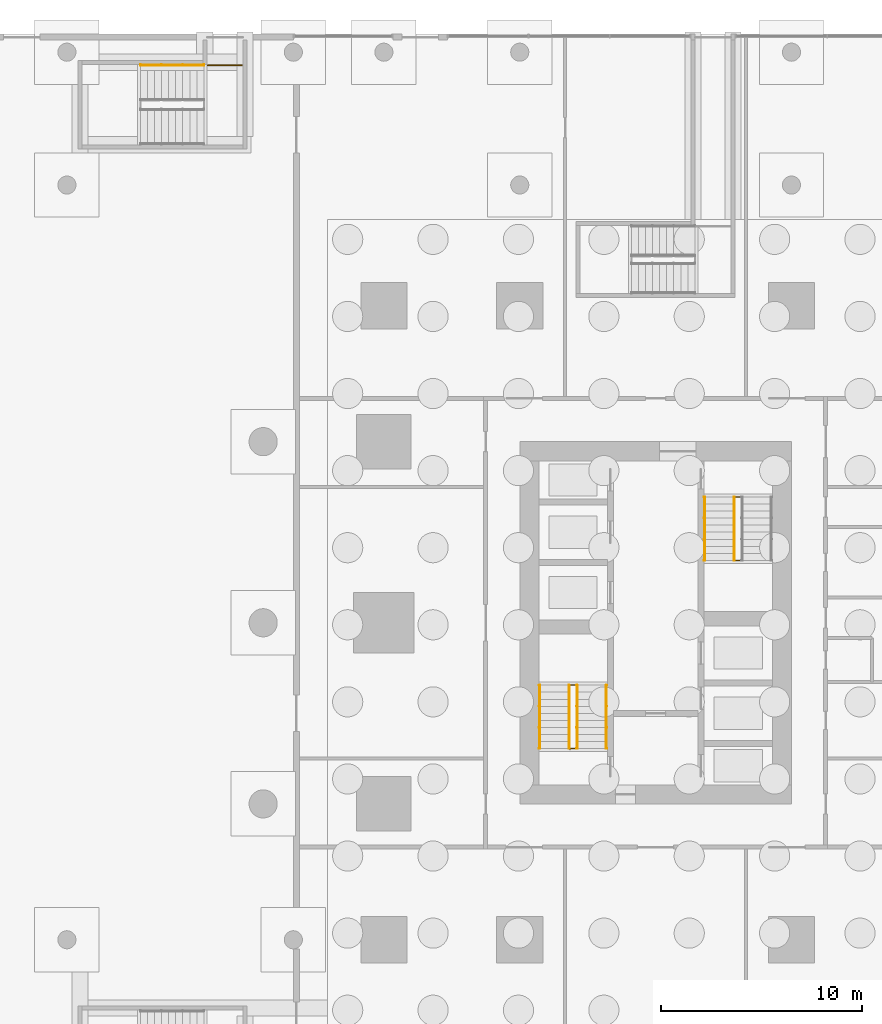
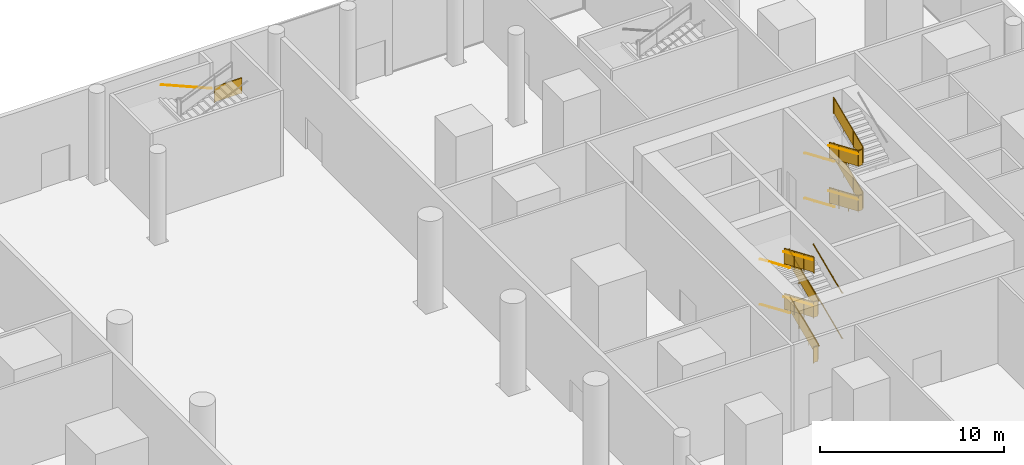
# One storey, part 29 of 31: 16 railings.
"""IFC4 building model written with IfcOpenShell, lengths in metres."""

import ifcopenshell
import ifcopenshell.guid

model = None  # the IFC model being written
_history = None  # IfcOwnerHistory: only IFC2X3 demands one
_inside = {}  # id of a spatial element -> (the spatial element, [elements in it])
_under = {}  # id of a project, library or spatial element -> (it, [spatial elements below it])
_declared = {}  # id of a project -> (the project, [libraries it declares])
_typed = {}  # id of a type object -> (the type object, [elements of that type])
_made_of = {}  # id of a material, layer set ... -> (it, [elements and type objects made of it])


def new_model(schema):
    """Start an empty IFC model of exactly this schema.

    Asked for "IFC4X3", IfcOpenShell would pick the latest addendum, in which some entities
    have other attributes; the version numbers below select the first issue.
    IFC2X3 requires an IfcOwnerHistory on every rooted entity: one is made here for all.
    """
    global model, _history
    if schema == "IFC4X3":
        model = ifcopenshell.file(schema_version=(4, 3, 0, 0))
    else:
        model = ifcopenshell.file(schema=schema)
    _inside.clear()
    _under.clear()
    _declared.clear()
    _typed.clear()
    _made_of.clear()
    _history = None
    if model.schema == "IFC2X3":
        org = make("IfcOrganization", Name="unknown")
        user = make(
            "IfcPersonAndOrganization",
            ThePerson=make("IfcPerson", FamilyName="unknown"),
            TheOrganization=org,
        )
        app = make(
            "IfcApplication",
            ApplicationDeveloper=org,
            Version="unknown",
            ApplicationFullName="unknown",
            ApplicationIdentifier="unknown",
        )
        _history = make(
            "IfcOwnerHistory",
            OwningUser=user,
            OwningApplication=app,
            ChangeAction="ADDED",
            CreationDate=0,
        )
    return model


def make(cls, **values):
    """One entity of the class cls with the attributes given. An attribute that is None is left unset."""
    return model.create_entity(
        cls, **{name: value for name, value in values.items() if value is not None}
    )


def rooted(cls, **values):
    """An entity with a GlobalId (a new one), such as an element, a storey or a relation."""
    return make(cls, GlobalId=ifcopenshell.guid.new(), OwnerHistory=_history, **values)


def si_unit(unit_type, name, prefix=None):
    """IfcSIUnit, for example si_unit("LENGTHUNIT", "METRE", prefix="MILLI")."""
    return make("IfcSIUnit", UnitType=unit_type, Prefix=prefix, Name=name)


def assignment(units):
    """IfcUnitAssignment: the units of a project."""
    return None if units is None else make("IfcUnitAssignment", Units=units)


def point(xyz):
    """IfcCartesianPoint."""
    return None if xyz is None else make("IfcCartesianPoint", Coordinates=xyz)


def direction(xyz):
    """IfcDirection."""
    return None if xyz is None else make("IfcDirection", DirectionRatios=xyz)


def frame(location, z_axis=None, x_axis=None):
    """IfcAxis2Placement3D, a coordinate frame: its origin and axes. An axis left out is left unset."""
    return make(
        "IfcAxis2Placement3D",
        Location=point(location),
        Axis=direction(z_axis),
        RefDirection=direction(x_axis),
    )


def frame_2d(location, x_axis=None):
    """IfcAxis2Placement2D, a coordinate frame in the plane: its origin and x axis."""
    return make(
        "IfcAxis2Placement2D", Location=point(location), RefDirection=direction(x_axis)
    )


def origin():
    """The frame at (0, 0, 0) with its axes left unset."""
    return frame((0.0, 0.0, 0.0))


def origin_2d():
    """The frame at (0, 0) in the plane with its x axis left unset."""
    return frame_2d((0.0, 0.0))


def place(relative_to, where):
    """IfcLocalPlacement: puts the frame where relative to a parent placement (None: the world)."""
    return make(
        "IfcLocalPlacement", PlacementRelTo=relative_to, RelativePlacement=where
    )


def context(
    kind, dimensions, precision=None, world=None, true_north=None, identifier=None
):
    """IfcGeometricRepresentationContext, for example the 3D "Model" context."""
    return make(
        "IfcGeometricRepresentationContext",
        ContextIdentifier=identifier,
        ContextType=kind,
        CoordinateSpaceDimension=dimensions,
        Precision=precision,
        WorldCoordinateSystem=world,
        TrueNorth=true_north,
    )


def subcontext(parent, identifier, kind, view, scale=None):
    """IfcGeometricRepresentationSubContext, for example "Body" below "Model"."""
    return make(
        "IfcGeometricRepresentationSubContext",
        ContextIdentifier=identifier,
        ContextType=kind,
        ParentContext=parent,
        TargetScale=scale,
        TargetView=view,
    )


def project(units=None, contexts=None):
    """IfcProject with its units and contexts."""
    return rooted(
        "IfcProject",
        Name="project",
        RepresentationContexts=contexts,
        UnitsInContext=assignment(units),
    )


def spatial(cls, under=None, at=None, **own):
    """A site, building, storey or space (cls), placed at a placement, below another one or the project."""
    s = rooted(cls, ObjectPlacement=at, **own)
    if under is not None:
        _under.setdefault(under.id(), (under, []))[1].append(s)
    return s


def polyline(points):
    """IfcPolyline through the points."""
    return make("IfcPolyline", Points=[point(p) for p in points])


def profile(cls, at=None, kind="AREA", **sizes):
    """A parametric profile (cls). Its sizes go by their IFC names, for example OverallWidth=200.0."""
    return make(cls, ProfileType=kind, Position=at, **sizes)


def circle(**sizes):
    """IfcCircleProfileDef."""
    return profile("IfcCircleProfileDef", **sizes)


def outline(outer, holes=None, kind="AREA"):
    """IfcArbitraryClosedProfileDef: a profile drawn as a closed curve; with holes, ...WithVoids."""
    if holes is None:
        return make("IfcArbitraryClosedProfileDef", ProfileType=kind, OuterCurve=outer)
    return make(
        "IfcArbitraryProfileDefWithVoids",
        ProfileType=kind,
        OuterCurve=outer,
        InnerCurves=holes,
    )


def extrude(swept, where, along, depth):
    """IfcExtrudedAreaSolid: the profile swept, set in the frame where, extruded along a direction by depth."""
    return make(
        "IfcExtrudedAreaSolid",
        SweptArea=swept,
        Position=where,
        ExtrudedDirection=direction(along),
        Depth=depth,
    )


def shape(context_of_items, identifier, shape_type, items):
    """IfcShapeRepresentation: the items that make up one representation, for example the "Body"."""
    return make(
        "IfcShapeRepresentation",
        ContextOfItems=context_of_items,
        RepresentationIdentifier=identifier,
        RepresentationType=shape_type,
        Items=items,
    )


def material(Name=None, Category=None):
    """IfcMaterial."""
    return make("IfcMaterial", Name=Name, Category=Category)


def made_of(thing, what):
    """Note that an element or type object is made of a material, layer set ...; save() writes the relation."""
    if what is not None:
        _made_of.setdefault(what.id(), (what, []))[1].append(thing)
    return thing


def type_object(cls, material=None, **own):
    """A type object (cls), such as IfcWallType, which elements share."""
    return made_of(rooted(cls, **own), material)


def element(
    cls,
    number,
    at=None,
    inside=None,
    cuts=None,
    type_object=None,
    material=None,
    context=None,
    identifier="Body",
    shape_type=None,
    held_by="IfcProductDefinitionShape",
    body=None,
    shapes=None,
    **own,
):
    """One element of the class cls, such as IfcWall. Its Tag is "e" and its number.

    at: its placement. inside: the storey or other place that contains it. cuts: it is an
    opening in that element (IfcRelVoidsElement). A single representation is given by context,
    identifier, shape_type and body (its items); several are given by shapes. held_by: the class
    of the entity that holds the representations. save() writes the other relations.
    """
    e = rooted(cls, Tag="e%d" % number, ObjectPlacement=at, **own)
    if body is not None:
        shapes = [shape(context, identifier, shape_type, body)]
    if shapes is not None:
        e.Representation = make(held_by, Representations=shapes)
    if inside is not None:
        _inside.setdefault(inside.id(), (inside, []))[1].append(e)
    if cuts is not None:
        rooted(
            "IfcRelVoidsElement", RelatingBuildingElement=cuts, RelatedOpeningElement=e
        )
    if type_object is not None:
        _typed.setdefault(type_object.id(), (type_object, []))[1].append(e)
    return made_of(e, material)


def aggregate(whole, parts):
    """IfcRelAggregates: a whole, such as a stair, and the parts it consists of."""
    return rooted("IfcRelAggregates", RelatingObject=whole, RelatedObjects=parts)


def save(model, path):
    """Write the relations noted so far, then the file.

    IfcRelAggregates (storeys below a building ...), IfcRelContainedInSpatialStructure (elements
    in a storey), IfcRelDefinesByType, IfcRelAssociatesMaterial and IfcRelDeclares: one each for
    every whole, place, type object, material and project.
    """
    for whole, parts in _under.values():
        aggregate(whole, parts)
    for where, things in _inside.values():
        rooted(
            "IfcRelContainedInSpatialStructure",
            RelatedElements=things,
            RelatingStructure=where,
        )
    for kind, things in _typed.values():
        rooted("IfcRelDefinesByType", RelatedObjects=things, RelatingType=kind)
    for what, things in _made_of.values():
        rooted("IfcRelAssociatesMaterial", RelatedObjects=things, RelatingMaterial=what)
    for by, libraries in _declared.values():
        rooted("IfcRelDeclares", RelatingContext=by, RelatedDefinitions=libraries)
    model.write(path)


model = new_model("IFC4")

# Units and contexts
model_context = context("Model", 3, precision=1e-05, world=origin(), true_north=direction((0.0, 1.0)))
body_context = subcontext(model_context, "Body", "Model", "MODEL_VIEW")
ifc_project = project(units=[si_unit("LENGTHUNIT", "METRE"), si_unit("AREAUNIT", "SQUARE_METRE"), si_unit("VOLUMEUNIT", "CUBIC_METRE"), si_unit("PLANEANGLEUNIT", "RADIAN"), si_unit("MASSUNIT", "GRAM", prefix="KILO")], contexts=[model_context])

# Site, building, storey
site_placement = place(None, origin())
site = spatial("IfcSite", under=ifc_project, at=site_placement, CompositionType="ELEMENT")
building_placement = place(site_placement, origin())
building = spatial("IfcBuilding", under=site, at=building_placement, Name="Namib Vertical Campus", CompositionType="ELEMENT")
storey_placement = place(building_placement, origin())
storey = spatial("IfcBuildingStorey", under=building, at=storey_placement, Name="L00", CompositionType="ELEMENT", Elevation=0.0)

# Railings
ifc_material_1 = material(Name="Steel handrail", Category="steel")
railing_type_1 = type_object("IfcRailingType", Name="Handrail 900", PredefinedType="HANDRAIL", material=ifc_material_1)
railing_1_placement = place(storey_placement, frame((78.550048828125, 14.0, 0.14990234375)))
element("IfcRailing", 1, at=railing_1_placement, inside=storey, type_object=railing_type_1, Name="Handrail HR1 B-S1 L00 1", PredefinedType="HANDRAIL", context=body_context, shape_type="SweptSolid", body=[
    extrude(circle(Radius=0.02392578125, at=origin_2d()), frame((0.0, 0.0, 0.8759765625), z_axis=(0.0, 0.919130290196, 0.393953689721), x_axis=(-1.0, 0.0, 0.0)), (0.0, 0.0, 1.0), 3.427001953125),
    extrude(circle(Radius=0.008056640625, at=origin_2d()), frame((0.0, 0.0, 0.8759765625), z_axis=(1.0, 0.0, 0.0), x_axis=(0.0, 0.0, 1.0)), (0.0, 0.0, 1.0), 0.050048828125),
    extrude(circle(Radius=0.008056640625, at=origin_2d()), frame((0.0, 1.050048828125, 1.325927734375), z_axis=(1.0, 0.0, 0.0), x_axis=(0.0, 0.0, 1.0)), (0.0, 0.0, 1.0), 0.050048828125),
    extrude(circle(Radius=0.008056640625, at=origin_2d()), frame((0.0, 2.099853515625, 1.77587890625), z_axis=(1.0, 0.0, 0.0), x_axis=(0.0, 0.0, 1.0)), (0.0, 0.0, 1.0), 0.050048828125),
    extrude(circle(Radius=0.008056640625, at=origin_2d()), frame((0.0, 3.14990234375, 2.22607421875), z_axis=(1.0, 0.0, 0.0), x_axis=(0.0, 0.0, 1.0)), (0.0, 0.0, 1.0), 0.050048828125),
])
railing_2_placement = place(storey_placement, frame((75.25, 17.14990234375, 1.64990234375)))
element("IfcRailing", 2, at=railing_2_placement, inside=storey, type_object=railing_type_1, Name="Handrail HR1 B-S1 L00 2", PredefinedType="HANDRAIL", context=body_context, shape_type="SweptSolid", body=[
    extrude(circle(Radius=0.02392578125, at=origin_2d()), frame((0.0, 0.0, 0.8759765625), z_axis=(0.0, -0.919130290196, 0.393953689721), x_axis=(1.0, 0.0, 0.0)), (0.0, 0.0, 1.0), 3.427001953125),
    extrude(circle(Radius=0.008056640625, at=origin_2d()), frame((0.0, 0.0, 0.8759765625), z_axis=(-1.0, 0.0, 0.0), x_axis=(0.0, 0.0, 1.0)), (0.0, 0.0, 1.0), 0.050048828125),
    extrude(circle(Radius=0.008056640625, at=origin_2d()), frame((0.0, -1.050048828125, 1.325927734375), z_axis=(-1.0, 0.0, 0.0), x_axis=(0.0, 0.0, 1.0)), (0.0, 0.0, 1.0), 0.050048828125),
    extrude(circle(Radius=0.008056640625, at=origin_2d()), frame((0.0, -2.099853515625, 1.77587890625), z_axis=(-1.0, 0.0, 0.0), x_axis=(0.0, 0.0, 1.0)), (0.0, 0.0, 1.0), 0.050048828125),
    extrude(circle(Radius=0.008056640625, at=origin_2d()), frame((0.0, -3.14990234375, 2.22607421875), z_axis=(-1.0, 0.0, 0.0), x_axis=(0.0, 0.0, 1.0)), (0.0, 0.0, 1.0), 0.050048828125),
])
railing_3_placement = place(storey_placement, frame((78.550048828125, 14.0, 3.14990234375)))
element("IfcRailing", 3, at=railing_3_placement, inside=storey, type_object=railing_type_1, Name="Handrail HR1 B-S1 L00 3", PredefinedType="HANDRAIL", context=body_context, shape_type="SweptSolid", body=[
    extrude(circle(Radius=0.02392578125, at=origin_2d()), frame((0.0, 0.0, 0.8759765625), z_axis=(0.0, 0.919130290196, 0.393953689721), x_axis=(-1.0, 0.0, 0.0)), (0.0, 0.0, 1.0), 3.427001953125),
    extrude(circle(Radius=0.008056640625, at=origin_2d()), frame((0.0, 0.0, 0.8759765625), z_axis=(1.0, 0.0, 0.0), x_axis=(0.0, 0.0, 1.0)), (0.0, 0.0, 1.0), 0.050048828125),
    extrude(circle(Radius=0.008056640625, at=origin_2d()), frame((0.0, 1.050048828125, 1.325927734375), z_axis=(1.0, 0.0, 0.0), x_axis=(0.0, 0.0, 1.0)), (0.0, 0.0, 1.0), 0.050048828125),
    extrude(circle(Radius=0.008056640625, at=origin_2d()), frame((0.0, 2.099853515625, 1.77587890625), z_axis=(1.0, 0.0, 0.0), x_axis=(0.0, 0.0, 1.0)), (0.0, 0.0, 1.0), 0.050048828125),
    extrude(circle(Radius=0.008056640625, at=origin_2d()), frame((0.0, 3.14990234375, 2.22607421875), z_axis=(1.0, 0.0, 0.0), x_axis=(0.0, 0.0, 1.0)), (0.0, 0.0, 1.0), 0.050048828125),
])
railing_4_placement = place(storey_placement, frame((75.25, 17.14990234375, 4.64990234375)))
element("IfcRailing", 4, at=railing_4_placement, inside=storey, type_object=railing_type_1, Name="Handrail HR1 B-S1 L00 4", PredefinedType="HANDRAIL", context=body_context, shape_type="SweptSolid", body=[
    extrude(circle(Radius=0.02392578125, at=origin_2d()), frame((0.0, 0.0, 0.8759765625), z_axis=(0.0, -0.919130290196, 0.393953689721), x_axis=(1.0, 0.0, 0.0)), (0.0, 0.0, 1.0), 3.427001953125),
    extrude(circle(Radius=0.008056640625, at=origin_2d()), frame((0.0, 0.0, 0.8759765625), z_axis=(-1.0, 0.0, 0.0), x_axis=(0.0, 0.0, 1.0)), (0.0, 0.0, 1.0), 0.050048828125),
    extrude(circle(Radius=0.008056640625, at=origin_2d()), frame((0.0, -1.050048828125, 1.325927734375), z_axis=(-1.0, 0.0, 0.0), x_axis=(0.0, 0.0, 1.0)), (0.0, 0.0, 1.0), 0.050048828125),
    extrude(circle(Radius=0.008056640625, at=origin_2d()), frame((0.0, -2.099853515625, 1.77587890625), z_axis=(-1.0, 0.0, 0.0), x_axis=(0.0, 0.0, 1.0)), (0.0, 0.0, 1.0), 0.050048828125),
    extrude(circle(Radius=0.008056640625, at=origin_2d()), frame((0.0, -3.14990234375, 2.22607421875), z_axis=(-1.0, 0.0, 0.0), x_axis=(0.0, 0.0, 1.0)), (0.0, 0.0, 1.0), 0.050048828125),
])
railing_5_placement = place(storey_placement, frame((77.10009765625, 14.0, 0.14990234375)))
element("IfcRailing", 5, at=railing_5_placement, inside=storey, type_object=railing_type_1, Name="Handrail HR1 B-S1 L00 1 at the well", PredefinedType="HANDRAIL", context=body_context, shape_type="SweptSolid", body=[
    extrude(circle(Radius=0.02392578125, at=origin_2d()), frame((0.0, 0.0, 0.8759765625), z_axis=(0.0, 0.919130290196, 0.393953689721), x_axis=(-1.0, 0.0, 0.0)), (0.0, 0.0, 1.0), 3.427001953125),
    extrude(circle(Radius=0.008056640625, at=origin_2d()), frame((0.0, 0.0, 0.8759765625), z_axis=(-1.0, 0.0, 0.0), x_axis=(0.0, 0.0, 1.0)), (0.0, 0.0, 1.0), 0.0400390625),
    extrude(circle(Radius=0.008056640625, at=origin_2d()), frame((0.0, 1.050048828125, 1.325927734375), z_axis=(-1.0, 0.0, 0.0), x_axis=(0.0, 0.0, 1.0)), (0.0, 0.0, 1.0), 0.0400390625),
    extrude(circle(Radius=0.008056640625, at=origin_2d()), frame((0.0, 2.099853515625, 1.77587890625), z_axis=(-1.0, 0.0, 0.0), x_axis=(0.0, 0.0, 1.0)), (0.0, 0.0, 1.0), 0.0400390625),
    extrude(circle(Radius=0.008056640625, at=origin_2d()), frame((0.0, 3.14990234375, 2.22607421875), z_axis=(-1.0, 0.0, 0.0), x_axis=(0.0, 0.0, 1.0)), (0.0, 0.0, 1.0), 0.0400390625),
])
railing_6_placement = place(storey_placement, frame((76.699951171875, 17.14990234375, 1.64990234375)))
element("IfcRailing", 6, at=railing_6_placement, inside=storey, type_object=railing_type_1, Name="Handrail HR1 B-S1 L00 2 at the well", PredefinedType="HANDRAIL", context=body_context, shape_type="SweptSolid", body=[
    extrude(circle(Radius=0.02392578125, at=origin_2d()), frame((0.0, 0.0, 0.8759765625), z_axis=(0.0, -0.919130290196, 0.393953689721), x_axis=(1.0, 0.0, 0.0)), (0.0, 0.0, 1.0), 3.427001953125),
    extrude(circle(Radius=0.008056640625, at=origin_2d()), frame((0.0, 0.0, 0.8759765625), z_axis=(1.0, 0.0, 0.0), x_axis=(0.0, 0.0, 1.0)), (0.0, 0.0, 1.0), 0.0400390625),
    extrude(circle(Radius=0.008056640625, at=origin_2d()), frame((0.0, -1.050048828125, 1.325927734375), z_axis=(1.0, 0.0, 0.0), x_axis=(0.0, 0.0, 1.0)), (0.0, 0.0, 1.0), 0.0400390625),
    extrude(circle(Radius=0.008056640625, at=origin_2d()), frame((0.0, -2.099853515625, 1.77587890625), z_axis=(1.0, 0.0, 0.0), x_axis=(0.0, 0.0, 1.0)), (0.0, 0.0, 1.0), 0.0400390625),
    extrude(circle(Radius=0.008056640625, at=origin_2d()), frame((0.0, -3.14990234375, 2.22607421875), z_axis=(1.0, 0.0, 0.0), x_axis=(0.0, 0.0, 1.0)), (0.0, 0.0, 1.0), 0.0400390625),
])
railing_7_placement = place(storey_placement, frame((77.10009765625, 14.0, 3.14990234375)))
element("IfcRailing", 7, at=railing_7_placement, inside=storey, type_object=railing_type_1, Name="Handrail HR1 B-S1 L00 3 at the well", PredefinedType="HANDRAIL", context=body_context, shape_type="SweptSolid", body=[
    extrude(circle(Radius=0.02392578125, at=origin_2d()), frame((0.0, 0.0, 0.8759765625), z_axis=(0.0, 0.919130290196, 0.393953689721), x_axis=(-1.0, 0.0, 0.0)), (0.0, 0.0, 1.0), 3.427001953125),
    extrude(circle(Radius=0.008056640625, at=origin_2d()), frame((0.0, 0.0, 0.8759765625), z_axis=(-1.0, 0.0, 0.0), x_axis=(0.0, 0.0, 1.0)), (0.0, 0.0, 1.0), 0.0400390625),
    extrude(circle(Radius=0.008056640625, at=origin_2d()), frame((0.0, 1.050048828125, 1.325927734375), z_axis=(-1.0, 0.0, 0.0), x_axis=(0.0, 0.0, 1.0)), (0.0, 0.0, 1.0), 0.0400390625),
    extrude(circle(Radius=0.008056640625, at=origin_2d()), frame((0.0, 2.099853515625, 1.77587890625), z_axis=(-1.0, 0.0, 0.0), x_axis=(0.0, 0.0, 1.0)), (0.0, 0.0, 1.0), 0.0400390625),
    extrude(circle(Radius=0.008056640625, at=origin_2d()), frame((0.0, 3.14990234375, 2.22607421875), z_axis=(-1.0, 0.0, 0.0), x_axis=(0.0, 0.0, 1.0)), (0.0, 0.0, 1.0), 0.0400390625),
])
railing_8_placement = place(storey_placement, frame((76.699951171875, 17.14990234375, 4.64990234375)))
element("IfcRailing", 8, at=railing_8_placement, inside=storey, type_object=railing_type_1, Name="Handrail HR1 B-S1 L00 4 at the well", PredefinedType="HANDRAIL", context=body_context, shape_type="SweptSolid", body=[
    extrude(circle(Radius=0.02392578125, at=origin_2d()), frame((0.0, 0.0, 0.8759765625), z_axis=(0.0, -0.919130290196, 0.393953689721), x_axis=(1.0, 0.0, 0.0)), (0.0, 0.0, 1.0), 3.427001953125),
    extrude(circle(Radius=0.008056640625, at=origin_2d()), frame((0.0, 0.0, 0.8759765625), z_axis=(1.0, 0.0, 0.0), x_axis=(0.0, 0.0, 1.0)), (0.0, 0.0, 1.0), 0.0400390625),
    extrude(circle(Radius=0.008056640625, at=origin_2d()), frame((0.0, -1.050048828125, 1.325927734375), z_axis=(1.0, 0.0, 0.0), x_axis=(0.0, 0.0, 1.0)), (0.0, 0.0, 1.0), 0.0400390625),
    extrude(circle(Radius=0.008056640625, at=origin_2d()), frame((0.0, -2.099853515625, 1.77587890625), z_axis=(1.0, 0.0, 0.0), x_axis=(0.0, 0.0, 1.0)), (0.0, 0.0, 1.0), 0.0400390625),
    extrude(circle(Radius=0.008056640625, at=origin_2d()), frame((0.0, -3.14990234375, 2.22607421875), z_axis=(1.0, 0.0, 0.0), x_axis=(0.0, 0.0, 1.0)), (0.0, 0.0, 1.0), 0.0400390625),
])
for number, where, name in (
    (9, (83.449951171875, 26.5, 0.14990234375), "Handrail HR1 B-S2 L00 1"),
    (10, (83.449951171875, 26.5, 3.14990234375), "Handrail HR1 B-S2 L00 3"),
):
    element("IfcRailing", number, at=place(storey_placement, frame(where)), inside=storey, type_object=railing_type_1, Name=name, PredefinedType="HANDRAIL", context=body_context, shape_type="SweptSolid", body=[
        extrude(circle(Radius=0.02392578125, at=origin_2d()), frame((0.0, 0.0, 0.8759765625), z_axis=(0.0, -0.919130290196, 0.393953689721), x_axis=(1.0, 0.0, 0.0)), (0.0, 0.0, 1.0), 3.427001953125),
        extrude(circle(Radius=0.008056640625, at=origin_2d()), frame((0.0, 0.0, 0.8759765625), z_axis=(-1.0, 0.0, 0.0), x_axis=(0.0, 0.0, 1.0)), (0.0, 0.0, 1.0), 0.050048828125),
        extrude(circle(Radius=0.008056640625, at=origin_2d()), frame((0.0, -1.050048828125, 1.325927734375), z_axis=(-1.0, 0.0, 0.0), x_axis=(0.0, 0.0, 1.0)), (0.0, 0.0, 1.0), 0.050048828125),
        extrude(circle(Radius=0.008056640625, at=origin_2d()), frame((0.0, -2.099853515625, 1.77587890625), z_axis=(-1.0, 0.0, 0.0), x_axis=(0.0, 0.0, 1.0)), (0.0, 0.0, 1.0), 0.050048828125),
        extrude(circle(Radius=0.008056640625, at=origin_2d()), frame((0.0, -3.14990234375, 2.22607421875), z_axis=(-1.0, 0.0, 0.0), x_axis=(0.0, 0.0, 1.0)), (0.0, 0.0, 1.0), 0.050048828125),
    ])
for number, where, name in (
    (11, (84.89990234375, 26.5, 0.14990234375), "Handrail HR1 B-S2 L00 1 at the well"),
    (12, (84.89990234375, 26.5, 3.14990234375), "Handrail HR1 B-S2 L00 3 at the well"),
):
    element("IfcRailing", number, at=place(storey_placement, frame(where)), inside=storey, type_object=railing_type_1, Name=name, PredefinedType="HANDRAIL", context=body_context, shape_type="SweptSolid", body=[
        extrude(circle(Radius=0.02392578125, at=origin_2d()), frame((0.0, 0.0, 0.8759765625), z_axis=(0.0, -0.919130290196, 0.393953689721), x_axis=(1.0, 0.0, 0.0)), (0.0, 0.0, 1.0), 3.427001953125),
        extrude(circle(Radius=0.008056640625, at=origin_2d()), frame((0.0, 0.0, 0.8759765625), z_axis=(1.0, 0.0, 0.0), x_axis=(0.0, 0.0, 1.0)), (0.0, 0.0, 1.0), 0.0400390625),
        extrude(circle(Radius=0.008056640625, at=origin_2d()), frame((0.0, -1.050048828125, 1.325927734375), z_axis=(1.0, 0.0, 0.0), x_axis=(0.0, 0.0, 1.0)), (0.0, 0.0, 1.0), 0.0400390625),
        extrude(circle(Radius=0.008056640625, at=origin_2d()), frame((0.0, -2.099853515625, 1.77587890625), z_axis=(1.0, 0.0, 0.0), x_axis=(0.0, 0.0, 1.0)), (0.0, 0.0, 1.0), 0.0400390625),
        extrude(circle(Radius=0.008056640625, at=origin_2d()), frame((0.0, -3.14990234375, 2.22607421875), z_axis=(1.0, 0.0, 0.0), x_axis=(0.0, 0.0, 1.0)), (0.0, 0.0, 1.0), 0.0400390625),
    ])
railing_9_placement = place(storey_placement, frame((58.553955078125, 47.949951171875, 3.14990234375)))
element("IfcRailing", 13, at=railing_9_placement, inside=storey, type_object=railing_type_1, Name="Handrail HR1 P-S3 L00 3", PredefinedType="HANDRAIL", context=body_context, shape_type="SweptSolid", body=[
    extrude(circle(Radius=0.02392578125, at=origin_2d()), frame((0.0, 0.0, 0.8759765625), z_axis=(-0.919141345424, 0.0, 0.393927895853), x_axis=(0.0, -1.0, 0.0)), (0.0, 0.0, 1.0), 3.42724609375),
    extrude(circle(Radius=0.008056640625, at=origin_2d()), frame((0.0, 0.0, 0.8759765625), z_axis=(0.0, 1.0, 0.0), x_axis=(0.0, 0.0, 1.0)), (0.0, 0.0, 1.0), 0.050048828125),
    extrude(circle(Radius=0.008056640625, at=origin_2d()), frame((-1.050048828125, 0.0, 1.325927734375), z_axis=(0.0, 1.0, 0.0), x_axis=(0.0, 0.0, 1.0)), (0.0, 0.0, 1.0), 0.050048828125),
    extrude(circle(Radius=0.008056640625, at=origin_2d()), frame((-2.10009765625, 0.0, 1.77587890625), z_axis=(0.0, 1.0, 0.0), x_axis=(0.0, 0.0, 1.0)), (0.0, 0.0, 1.0), 0.050048828125),
    extrude(circle(Radius=0.008056640625, at=origin_2d()), frame((-3.150146484375, 0.0, 2.22607421875), z_axis=(0.0, 1.0, 0.0), x_axis=(0.0, 0.0, 1.0)), (0.0, 0.0, 1.0), 0.050048828125),
])
ifc_material_2 = material(Name="Steel balustrade", Category="steel")
railing_type_2 = type_object("IfcRailingType", Name="Stair guard 1100", PredefinedType="GUARDRAIL", material=ifc_material_2)
railing_10_placement = place(storey_placement, frame((76.75, 14.0, 0.0)))
element("IfcRailing", 14, at=railing_10_placement, inside=storey, type_object=railing_type_2, Name="Stair guard GR1 B-S1 L00", PredefinedType="GUARDRAIL", context=body_context, shape_type="SweptSolid", body=[
    extrude(circle(Radius=0.02392578125, at=origin_2d()), frame((0.0, 0.0, 1.076171875), z_axis=(1.0, 0.0, 0.0), x_axis=(0.0, 1.0, 0.0)), (0.0, 0.0, 1.0), 0.300048828125),
    extrude(outline(polyline([(0.02099609375, 0.050048828125), (0.279052734375, 0.050048828125), (0.279052734375, 1.052001953125), (0.02099609375, 1.052001953125), (0.02099609375, 0.050048828125)])), frame((0.0, 0.010009765625, 0.0), z_axis=(0.0, -1.0, 0.0), x_axis=(1.0, 0.0, 0.0)), (0.0, 0.0, 1.0), 0.02001953125),
    extrude(circle(Radius=0.02392578125, at=origin_2d()), frame((0.300048828125, 0.0, 1.076171875), z_axis=(0.0, 0.0, 1.0), x_axis=(1.0, 0.0, 0.0)), (0.0, 0.0, 1.0), 0.14990234375),
    extrude(circle(Radius=0.02392578125, at=origin_2d()), frame((0.300048828125, 0.0, 1.22607421875), z_axis=(0.0, 0.919130290196, 0.393953689721), x_axis=(-1.0, 0.0, 0.0)), (0.0, 0.0, 1.0), 3.427001953125),
    extrude(outline(polyline([(0.02099609375, 0.05908203125), (3.12890625, 1.39111328125), (3.12890625, 2.39306640625), (0.02099609375, 1.06103515625), (0.02099609375, 0.05908203125)])), frame((0.2900390625, 0.0, 0.14990234375), z_axis=(1.0, 0.0, 0.0), x_axis=(0.0, 1.0, 0.0)), (0.0, 0.0, 1.0), 0.02001953125),
    extrude(circle(Radius=0.02392578125, at=origin_2d()), frame((0.300048828125, 3.14990234375, 2.576171875), z_axis=(-1.0, 0.0, 0.0), x_axis=(0.0, -1.0, 0.0)), (0.0, 0.0, 1.0), 0.300048828125),
    extrude(outline(polyline([(0.02099609375, 0.050048828125), (0.279052734375, 0.050048828125), (0.279052734375, 1.052001953125), (0.02099609375, 1.052001953125), (0.02099609375, 0.050048828125)])), frame((0.300048828125, 3.139892578125, 1.5), z_axis=(0.0, 1.0, 0.0), x_axis=(-1.0, 0.0, 0.0)), (0.0, 0.0, 1.0), 0.02001953125),
    extrude(circle(Radius=0.02392578125, at=origin_2d()), frame((0.0, 3.14990234375, 2.576171875), z_axis=(0.0, 0.0, 1.0), x_axis=(1.0, 0.0, 0.0)), (0.0, 0.0, 1.0), 0.14990234375),
    extrude(circle(Radius=0.02392578125, at=origin_2d()), frame((0.0, 3.14990234375, 2.72607421875), z_axis=(0.0, -0.919130290196, 0.393953689721), x_axis=(1.0, 0.0, 0.0)), (0.0, 0.0, 1.0), 3.427001953125),
    extrude(outline(polyline([(0.02099609375, 0.05908203125), (3.12890625, 1.39111328125), (3.12890625, 2.39306640625), (0.02099609375, 1.06103515625), (0.02099609375, 0.05908203125)])), frame((0.010009765625, 3.14990234375, 1.64990234375), z_axis=(-1.0, 0.0, 0.0), x_axis=(0.0, -1.0, 0.0)), (0.0, 0.0, 1.0), 0.02001953125),
    extrude(circle(Radius=0.02392578125, at=origin_2d()), frame((0.0, 0.0, 4.076171875), z_axis=(1.0, 0.0, 0.0), x_axis=(0.0, 1.0, 0.0)), (0.0, 0.0, 1.0), 0.300048828125),
    extrude(outline(polyline([(0.02099609375, 0.050048828125), (0.279052734375, 0.050048828125), (0.279052734375, 1.052001953125), (0.02099609375, 1.052001953125), (0.02099609375, 0.050048828125)])), frame((0.0, 0.010009765625, 3.0), z_axis=(0.0, -1.0, 0.0), x_axis=(1.0, 0.0, 0.0)), (0.0, 0.0, 1.0), 0.02001953125),
    extrude(circle(Radius=0.02392578125, at=origin_2d()), frame((0.300048828125, 0.0, 4.076171875), z_axis=(0.0, 0.0, 1.0), x_axis=(1.0, 0.0, 0.0)), (0.0, 0.0, 1.0), 0.14990234375),
    extrude(circle(Radius=0.02392578125, at=origin_2d()), frame((0.300048828125, 0.0, 4.22607421875), z_axis=(0.0, 0.919130290196, 0.393953689721), x_axis=(-1.0, 0.0, 0.0)), (0.0, 0.0, 1.0), 3.427001953125),
    extrude(outline(polyline([(0.02099609375, 0.05908203125), (3.12890625, 1.39111328125), (3.12890625, 2.39306640625), (0.02099609375, 1.06103515625), (0.02099609375, 0.05908203125)])), frame((0.2900390625, 0.0, 3.14990234375), z_axis=(1.0, 0.0, 0.0), x_axis=(0.0, 1.0, 0.0)), (0.0, 0.0, 1.0), 0.02001953125),
    extrude(circle(Radius=0.02392578125, at=origin_2d()), frame((0.300048828125, 3.14990234375, 5.576171875), z_axis=(-1.0, 0.0, 0.0), x_axis=(0.0, -1.0, 0.0)), (0.0, 0.0, 1.0), 0.300048828125),
    extrude(outline(polyline([(0.02099609375, 0.050048828125), (0.279052734375, 0.050048828125), (0.279052734375, 1.052001953125), (0.02099609375, 1.052001953125), (0.02099609375, 0.050048828125)])), frame((0.300048828125, 3.139892578125, 4.5), z_axis=(0.0, 1.0, 0.0), x_axis=(-1.0, 0.0, 0.0)), (0.0, 0.0, 1.0), 0.02001953125),
    extrude(circle(Radius=0.02392578125, at=origin_2d()), frame((0.0, 3.14990234375, 5.576171875), z_axis=(0.0, 0.0, 1.0), x_axis=(1.0, 0.0, 0.0)), (0.0, 0.0, 1.0), 0.14990234375),
    extrude(circle(Radius=0.02392578125, at=origin_2d()), frame((0.0, 3.14990234375, 5.72607421875), z_axis=(0.0, -0.919130290196, 0.393953689721), x_axis=(1.0, 0.0, 0.0)), (0.0, 0.0, 1.0), 3.427001953125),
    extrude(outline(polyline([(0.02099609375, 0.05908203125), (3.12890625, 1.39111328125), (3.12890625, 2.39306640625), (0.02099609375, 1.06103515625), (0.02099609375, 0.05908203125)])), frame((0.010009765625, 3.14990234375, 4.64990234375), z_axis=(-1.0, 0.0, 0.0), x_axis=(0.0, -1.0, 0.0)), (0.0, 0.0, 1.0), 0.02001953125),
    extrude(circle(Radius=0.02392578125, at=origin_2d()), frame((0.0, 0.0, 7.076171875), z_axis=(0.0, -1.0, 0.0), x_axis=(1.0, 0.0, 0.0)), (0.0, 0.0, 1.0), 0.050048828125),
    extrude(outline(polyline([(0.02099609375, 0.050048828125), (0.029052734375, 0.050048828125), (0.029052734375, 1.052001953125), (0.02099609375, 1.052001953125), (0.02099609375, 0.050048828125)])), frame((0.010009765625, 0.0, 6.0), z_axis=(-1.0, 0.0, 0.0), x_axis=(0.0, -1.0, 0.0)), (0.0, 0.0, 1.0), 0.02001953125),
    extrude(circle(Radius=0.02099609375, at=origin_2d()), origin(), (0.0, 0.0, 1.0), 1.052001953125),
    extrude(circle(Radius=0.02099609375, at=origin_2d()), frame((0.300048828125, 0.0, 0.14990234375)), (0.0, 0.0, 1.0), 1.052001953125),
    extrude(circle(Radius=0.02099609375, at=origin_2d()), frame((0.300048828125, 1.050048828125, 0.449951171875)), (0.0, 0.0, 1.0), 1.2021484375),
    extrude(circle(Radius=0.02099609375, at=origin_2d()), frame((0.300048828125, 2.099853515625, 0.89990234375)), (0.0, 0.0, 1.0), 1.2021484375),
    extrude(circle(Radius=0.02099609375, at=origin_2d()), frame((0.300048828125, 3.14990234375, 1.5)), (0.0, 0.0, 1.0), 1.052001953125),
    extrude(circle(Radius=0.02099609375, at=origin_2d()), frame((0.0, 3.14990234375, 1.64990234375)), (0.0, 0.0, 1.0), 1.052001953125),
    extrude(circle(Radius=0.02099609375, at=origin_2d()), frame((0.0, 2.099853515625, 1.949951171875)), (0.0, 0.0, 1.0), 1.2021484375),
    extrude(circle(Radius=0.02099609375, at=origin_2d()), frame((0.0, 1.050048828125, 2.39990234375)), (0.0, 0.0, 1.0), 1.2021484375),
    extrude(circle(Radius=0.02099609375, at=origin_2d()), frame((0.0, 0.0, 3.0)), (0.0, 0.0, 1.0), 1.052001953125),
    extrude(circle(Radius=0.02099609375, at=origin_2d()), frame((0.300048828125, 0.0, 3.14990234375)), (0.0, 0.0, 1.0), 1.052001953125),
    extrude(circle(Radius=0.02099609375, at=origin_2d()), frame((0.300048828125, 1.050048828125, 3.449951171875)), (0.0, 0.0, 1.0), 1.2021484375),
    extrude(circle(Radius=0.02099609375, at=origin_2d()), frame((0.300048828125, 2.099853515625, 3.89990234375)), (0.0, 0.0, 1.0), 1.2021484375),
    extrude(circle(Radius=0.02099609375, at=origin_2d()), frame((0.300048828125, 3.14990234375, 4.5)), (0.0, 0.0, 1.0), 1.052001953125),
    extrude(circle(Radius=0.02099609375, at=origin_2d()), frame((0.0, 3.14990234375, 4.64990234375)), (0.0, 0.0, 1.0), 1.052001953125),
    extrude(circle(Radius=0.02099609375, at=origin_2d()), frame((0.0, 2.099853515625, 4.949951171875)), (0.0, 0.0, 1.0), 1.2021484375),
    extrude(circle(Radius=0.02099609375, at=origin_2d()), frame((0.0, 1.050048828125, 5.39990234375)), (0.0, 0.0, 1.0), 1.2021484375),
    extrude(circle(Radius=0.02099609375, at=origin_2d()), frame((0.0, 0.0, 6.0)), (0.0, 0.0, 1.0), 1.052001953125),
    extrude(circle(Radius=0.02099609375, at=origin_2d()), frame((0.0, -0.050048828125, 6.0)), (0.0, 0.0, 1.0), 1.052001953125),
])
railing_11_placement = place(storey_placement, frame((85.25, 26.5, 0.0)))
element("IfcRailing", 15, at=railing_11_placement, inside=storey, type_object=railing_type_2, Name="Stair guard GR1 B-S2 L00", PredefinedType="GUARDRAIL", context=body_context, shape_type="SweptSolid", body=[
    extrude(circle(Radius=0.02392578125, at=origin_2d()), frame((0.0, 0.0, 1.076171875), z_axis=(-1.0, 0.0, 0.0), x_axis=(0.0, -1.0, 0.0)), (0.0, 0.0, 1.0), 0.300048828125),
    extrude(outline(polyline([(0.02099609375, 0.050048828125), (0.279052734375, 0.050048828125), (0.279052734375, 1.052001953125), (0.02099609375, 1.052001953125), (0.02099609375, 0.050048828125)])), frame((0.0, -0.010009765625, 0.0), z_axis=(0.0, 1.0, 0.0), x_axis=(-1.0, 0.0, 0.0)), (0.0, 0.0, 1.0), 0.02001953125),
    extrude(circle(Radius=0.02392578125, at=origin_2d()), frame((-0.300048828125, 0.0, 1.076171875), z_axis=(0.0, 0.0, 1.0), x_axis=(1.0, 0.0, 0.0)), (0.0, 0.0, 1.0), 0.14990234375),
    extrude(circle(Radius=0.02392578125, at=origin_2d()), frame((-0.300048828125, 0.0, 1.22607421875), z_axis=(0.0, -0.919130290196, 0.393953689721), x_axis=(1.0, 0.0, 0.0)), (0.0, 0.0, 1.0), 3.427001953125),
    extrude(outline(polyline([(0.02099609375, 0.05908203125), (3.12890625, 1.39111328125), (3.12890625, 2.39306640625), (0.02099609375, 1.06103515625), (0.02099609375, 0.05908203125)])), frame((-0.2900390625, 0.0, 0.14990234375), z_axis=(-1.0, 0.0, 0.0), x_axis=(0.0, -1.0, 0.0)), (0.0, 0.0, 1.0), 0.02001953125),
    extrude(circle(Radius=0.02392578125, at=origin_2d()), frame((-0.300048828125, -3.14990234375, 2.576171875), z_axis=(1.0, 0.0, 0.0), x_axis=(0.0, 1.0, 0.0)), (0.0, 0.0, 1.0), 0.300048828125),
    extrude(outline(polyline([(0.02099609375, 0.050048828125), (0.279052734375, 0.050048828125), (0.279052734375, 1.052001953125), (0.02099609375, 1.052001953125), (0.02099609375, 0.050048828125)])), frame((-0.300048828125, -3.139892578125, 1.5), z_axis=(0.0, -1.0, 0.0), x_axis=(1.0, 0.0, 0.0)), (0.0, 0.0, 1.0), 0.02001953125),
    extrude(circle(Radius=0.02392578125, at=origin_2d()), frame((0.0, -3.14990234375, 2.576171875), z_axis=(0.0, 0.0, 1.0), x_axis=(1.0, 0.0, 0.0)), (0.0, 0.0, 1.0), 0.14990234375),
    extrude(circle(Radius=0.02392578125, at=origin_2d()), frame((0.0, -3.14990234375, 2.72607421875), z_axis=(0.0, 0.919130290196, 0.393953689721), x_axis=(-1.0, 0.0, 0.0)), (0.0, 0.0, 1.0), 3.427001953125),
    extrude(outline(polyline([(0.02099609375, 0.05908203125), (3.12890625, 1.39111328125), (3.12890625, 2.39306640625), (0.02099609375, 1.06103515625), (0.02099609375, 0.05908203125)])), frame((-0.010009765625, -3.14990234375, 1.64990234375), z_axis=(1.0, 0.0, 0.0), x_axis=(0.0, 1.0, 0.0)), (0.0, 0.0, 1.0), 0.02001953125),
    extrude(circle(Radius=0.02392578125, at=origin_2d()), frame((0.0, 0.0, 4.076171875), z_axis=(-1.0, 0.0, 0.0), x_axis=(0.0, -1.0, 0.0)), (0.0, 0.0, 1.0), 0.300048828125),
    extrude(outline(polyline([(0.02099609375, 0.050048828125), (0.279052734375, 0.050048828125), (0.279052734375, 1.052001953125), (0.02099609375, 1.052001953125), (0.02099609375, 0.050048828125)])), frame((0.0, -0.010009765625, 3.0), z_axis=(0.0, 1.0, 0.0), x_axis=(-1.0, 0.0, 0.0)), (0.0, 0.0, 1.0), 0.02001953125),
    extrude(circle(Radius=0.02392578125, at=origin_2d()), frame((-0.300048828125, 0.0, 4.076171875), z_axis=(0.0, 0.0, 1.0), x_axis=(1.0, 0.0, 0.0)), (0.0, 0.0, 1.0), 0.14990234375),
    extrude(circle(Radius=0.02392578125, at=origin_2d()), frame((-0.300048828125, 0.0, 4.22607421875), z_axis=(0.0, -0.919130290196, 0.393953689721), x_axis=(1.0, 0.0, 0.0)), (0.0, 0.0, 1.0), 3.427001953125),
    extrude(outline(polyline([(0.02099609375, 0.05908203125), (3.12890625, 1.39111328125), (3.12890625, 2.39306640625), (0.02099609375, 1.06103515625), (0.02099609375, 0.05908203125)])), frame((-0.2900390625, 0.0, 3.14990234375), z_axis=(-1.0, 0.0, 0.0), x_axis=(0.0, -1.0, 0.0)), (0.0, 0.0, 1.0), 0.02001953125),
    extrude(circle(Radius=0.02392578125, at=origin_2d()), frame((-0.300048828125, -3.14990234375, 5.576171875), z_axis=(1.0, 0.0, 0.0), x_axis=(0.0, 1.0, 0.0)), (0.0, 0.0, 1.0), 0.300048828125),
    extrude(outline(polyline([(0.02099609375, 0.050048828125), (0.279052734375, 0.050048828125), (0.279052734375, 1.052001953125), (0.02099609375, 1.052001953125), (0.02099609375, 0.050048828125)])), frame((-0.300048828125, -3.139892578125, 4.5), z_axis=(0.0, -1.0, 0.0), x_axis=(1.0, 0.0, 0.0)), (0.0, 0.0, 1.0), 0.02001953125),
    extrude(circle(Radius=0.02392578125, at=origin_2d()), frame((0.0, -3.14990234375, 5.576171875), z_axis=(0.0, 0.0, 1.0), x_axis=(1.0, 0.0, 0.0)), (0.0, 0.0, 1.0), 0.14990234375),
    extrude(circle(Radius=0.02392578125, at=origin_2d()), frame((0.0, -3.14990234375, 5.72607421875), z_axis=(0.0, 0.919130290196, 0.393953689721), x_axis=(-1.0, 0.0, 0.0)), (0.0, 0.0, 1.0), 3.427001953125),
    extrude(outline(polyline([(0.02099609375, 0.05908203125), (3.12890625, 1.39111328125), (3.12890625, 2.39306640625), (0.02099609375, 1.06103515625), (0.02099609375, 0.05908203125)])), frame((-0.010009765625, -3.14990234375, 4.64990234375), z_axis=(1.0, 0.0, 0.0), x_axis=(0.0, 1.0, 0.0)), (0.0, 0.0, 1.0), 0.02001953125),
    extrude(circle(Radius=0.02392578125, at=origin_2d()), frame((0.0, 0.0, 7.076171875), z_axis=(0.0, 1.0, 0.0), x_axis=(-1.0, 0.0, 0.0)), (0.0, 0.0, 1.0), 0.050048828125),
    extrude(outline(polyline([(0.02099609375, 0.050048828125), (0.029052734375, 0.050048828125), (0.029052734375, 1.052001953125), (0.02099609375, 1.052001953125), (0.02099609375, 0.050048828125)])), frame((-0.010009765625, 0.0, 6.0), z_axis=(1.0, 0.0, 0.0), x_axis=(0.0, 1.0, 0.0)), (0.0, 0.0, 1.0), 0.02001953125),
    extrude(circle(Radius=0.02099609375, at=origin_2d()), origin(), (0.0, 0.0, 1.0), 1.052001953125),
    extrude(circle(Radius=0.02099609375, at=origin_2d()), frame((-0.300048828125, 0.0, 0.14990234375)), (0.0, 0.0, 1.0), 1.052001953125),
    extrude(circle(Radius=0.02099609375, at=origin_2d()), frame((-0.300048828125, -1.050048828125, 0.449951171875)), (0.0, 0.0, 1.0), 1.2021484375),
    extrude(circle(Radius=0.02099609375, at=origin_2d()), frame((-0.300048828125, -2.099853515625, 0.89990234375)), (0.0, 0.0, 1.0), 1.2021484375),
    extrude(circle(Radius=0.02099609375, at=origin_2d()), frame((-0.300048828125, -3.14990234375, 1.5)), (0.0, 0.0, 1.0), 1.052001953125),
    extrude(circle(Radius=0.02099609375, at=origin_2d()), frame((0.0, -3.14990234375, 1.64990234375)), (0.0, 0.0, 1.0), 1.052001953125),
    extrude(circle(Radius=0.02099609375, at=origin_2d()), frame((0.0, -2.099853515625, 1.949951171875)), (0.0, 0.0, 1.0), 1.2021484375),
    extrude(circle(Radius=0.02099609375, at=origin_2d()), frame((0.0, -1.050048828125, 2.39990234375)), (0.0, 0.0, 1.0), 1.2021484375),
    extrude(circle(Radius=0.02099609375, at=origin_2d()), frame((0.0, 0.0, 3.0)), (0.0, 0.0, 1.0), 1.052001953125),
    extrude(circle(Radius=0.02099609375, at=origin_2d()), frame((-0.300048828125, 0.0, 3.14990234375)), (0.0, 0.0, 1.0), 1.052001953125),
    extrude(circle(Radius=0.02099609375, at=origin_2d()), frame((-0.300048828125, -1.050048828125, 3.449951171875)), (0.0, 0.0, 1.0), 1.2021484375),
    extrude(circle(Radius=0.02099609375, at=origin_2d()), frame((-0.300048828125, -2.099853515625, 3.89990234375)), (0.0, 0.0, 1.0), 1.2021484375),
    extrude(circle(Radius=0.02099609375, at=origin_2d()), frame((-0.300048828125, -3.14990234375, 4.5)), (0.0, 0.0, 1.0), 1.052001953125),
    extrude(circle(Radius=0.02099609375, at=origin_2d()), frame((0.0, -3.14990234375, 4.64990234375)), (0.0, 0.0, 1.0), 1.052001953125),
    extrude(circle(Radius=0.02099609375, at=origin_2d()), frame((0.0, -2.099853515625, 4.949951171875)), (0.0, 0.0, 1.0), 1.2021484375),
    extrude(circle(Radius=0.02099609375, at=origin_2d()), frame((0.0, -1.050048828125, 5.39990234375)), (0.0, 0.0, 1.0), 1.2021484375),
    extrude(circle(Radius=0.02099609375, at=origin_2d()), frame((0.0, 0.0, 6.0)), (0.0, 0.0, 1.0), 1.052001953125),
    extrude(circle(Radius=0.02099609375, at=origin_2d()), frame((0.0, 0.050048828125, 6.0)), (0.0, 0.0, 1.0), 1.052001953125),
])
railing_12_placement = place(storey_placement, frame((58.75, 47.949951171875, 3.0)))
element("IfcRailing", 16, at=railing_12_placement, inside=storey, type_object=railing_type_2, Name="Stair guard GR1 P-S3 L00 over the exit vestibule 1", PredefinedType="GUARDRAIL", context=body_context, shape_type="SweptSolid", body=[
    extrude(circle(Radius=0.02392578125, at=origin_2d()), frame((0.0, 0.0, 1.076171875), z_axis=(1.0, 0.0, 0.0), x_axis=(0.0, 1.0, 0.0)), (0.0, 0.0, 1.0), 1.699951171875),
    extrude(outline(polyline([(0.02099609375, 0.050048828125), (1.678955078125, 0.050048828125), (1.678955078125, 1.052001953125), (0.02099609375, 1.052001953125), (0.02099609375, 0.050048828125)])), frame((0.0, 0.010009765625, 0.0), z_axis=(0.0, -1.0, 0.0), x_axis=(1.0, 0.0, 0.0)), (0.0, 0.0, 1.0), 0.02001953125),
    extrude(circle(Radius=0.02099609375, at=origin_2d()), origin(), (0.0, 0.0, 1.0), 1.052001953125),
    extrude(circle(Radius=0.02099609375, at=origin_2d()), frame((0.85009765625, 0.0, 0.0)), (0.0, 0.0, 1.0), 1.052001953125),
    extrude(circle(Radius=0.02099609375, at=origin_2d()), frame((1.699951171875, 0.0, 0.0)), (0.0, 0.0, 1.0), 1.052001953125),
])

save(model, "model.ifc")
